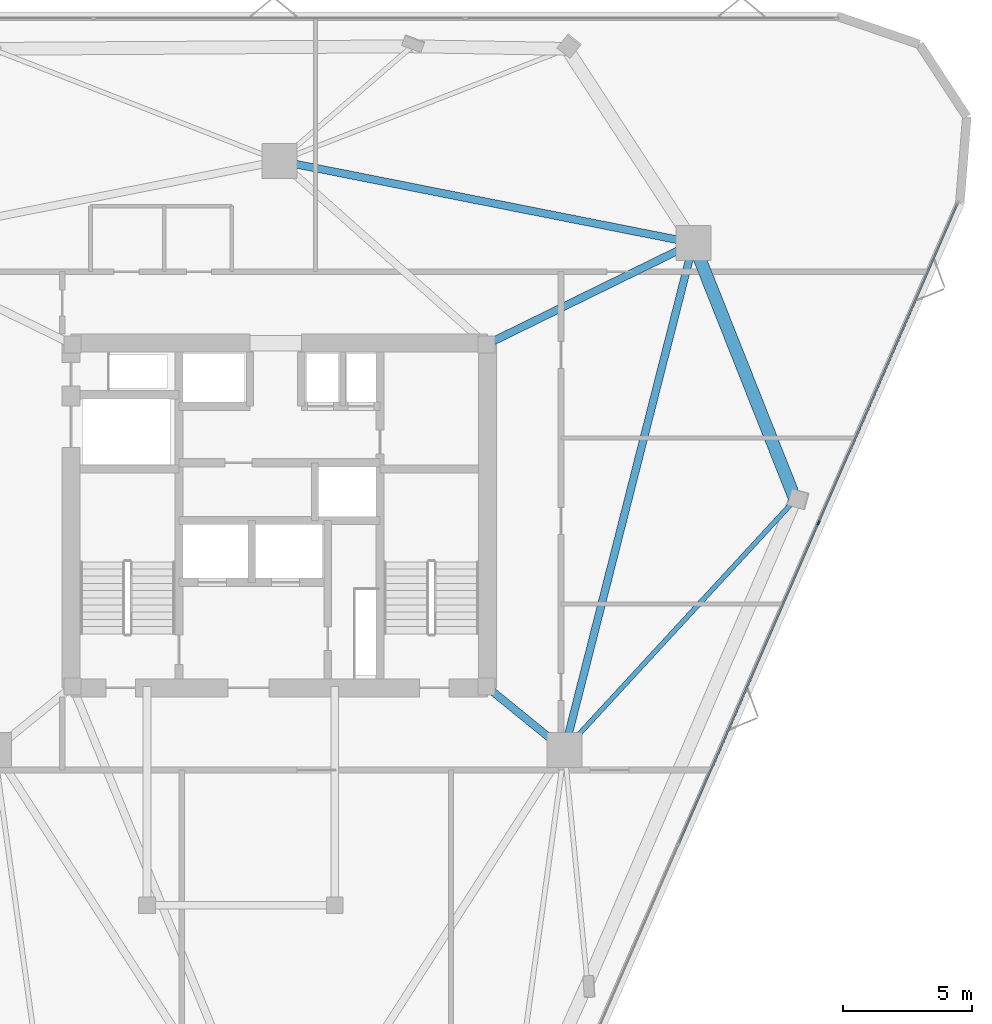
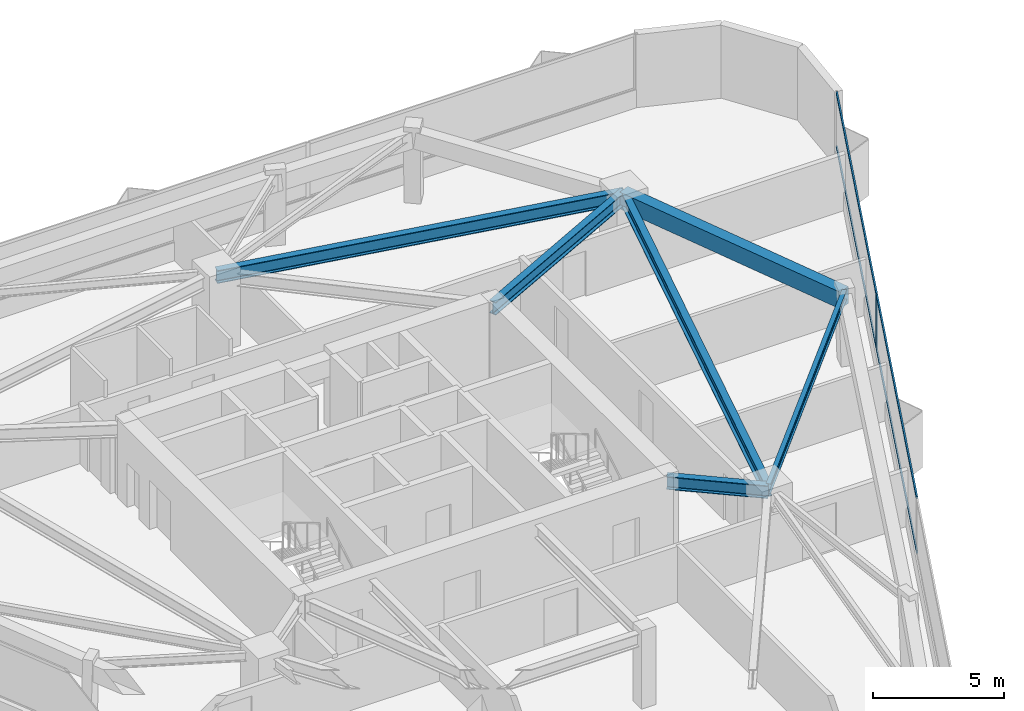
# One storey, part 7 of 12: 6 beams, 5 members, 1 element without a shape of its own.
"""IFC4 building model written with IfcOpenShell, lengths in metres."""

from ifc_helpers import new_model, si_unit, direction, frame, origin, origin_2d, place, context, subcontext, project, spatial, rectangle, i_section, extrude, material, layer, layer_set, material_profile, profile_set, type_object, element, aggregate, save


model = new_model("IFC4")

# Units and contexts
model_context = context("Model", 3, precision=1e-05, world=origin(), true_north=direction((0.0, 1.0)))
body_context = subcontext(model_context, "Body", "Model", "MODEL_VIEW")
ifc_project = project(units=[si_unit("LENGTHUNIT", "METRE"), si_unit("AREAUNIT", "SQUARE_METRE"), si_unit("VOLUMEUNIT", "CUBIC_METRE"), si_unit("PLANEANGLEUNIT", "RADIAN"), si_unit("MASSUNIT", "GRAM", prefix="KILO")], contexts=[model_context])

# Site, building, storey
site_placement = place(None, origin())
site = spatial("IfcSite", under=ifc_project, at=site_placement, CompositionType="ELEMENT")
building_placement = place(site_placement, origin())
building = spatial("IfcBuilding", under=site, at=building_placement, Name="Talyreon Biosciences Tower", CompositionType="ELEMENT")
storey_placement = place(building_placement, frame((0.0, 0.0, 183.050048828125)))
storey = spatial("IfcBuildingStorey", under=building, at=storey_placement, Name="L48", CompositionType="ELEMENT", Elevation=183.050048828125)

# Curtain wall, members
ifc_material_1 = material(Name="Thermally broken aluminium and low-E glazing", Category="aluminium")
ifc_layer = layer(ifc_material_1, 0.179931640625)
ifc_layer_set = layer_set([ifc_layer], Name="Thermally broken aluminium and low-E glazing")
curtain_wall_type = type_object("IfcCurtainWallType", Name="CurtainWall_Zone4Optical", PredefinedType="NOTDEFINED", material=ifc_layer_set)
curtain_wall_placement = place(storey_placement, origin())
curtain_wall = element("IfcCurtainWall", 1, at=curtain_wall_placement, inside=storey, type_object=curtain_wall_type, Name="L48 Unitised Curtain Wall FCW-L48-08", PredefinedType="NOTDEFINED")
ifc_material_2 = material(Name="Anodised thermally broken aluminium", Category="aluminium")
ifc_material_profile_1 = material_profile(ifc_material_2, rectangle(XDim=0.06494140625, YDim=0.179931640625, at=origin_2d()), Name="ALUM MULLION 65x180")
ifc_profile_set_1 = profile_set([ifc_material_profile_1], Name="Anodised thermally broken aluminium")
member_type_1 = type_object("IfcMemberType", Name="CWMullion_65x180", PredefinedType="MULLION", material=ifc_profile_set_1)
member_1_placement = place(storey_placement, frame((86.966552734375, 67.713623046875, 0.81005859375), z_axis=(0.0, 0.0, 1.0), x_axis=(0.916912184291, -0.399089020519, 0.0)))
member_1 = element("IfcMember", 2, at=member_1_placement, type_object=member_type_1, Name="CW5 mullion 2", PredefinedType="MULLION", context=body_context, shape_type="SweptSolid", body=[
    extrude(rectangle(XDim=0.06494140625, YDim=0.179931640625, at=origin_2d()), origin(), (0.0, 0.0, 1.0), 2.58984375),
])
ifc_material_profile_2 = material_profile(ifc_material_2, rectangle(XDim=0.06494140625, YDim=0.139892578125, at=origin_2d()), Name="ALUM TRANSOM 65x140")
ifc_profile_set_2 = profile_set([ifc_material_profile_2], Name="Anodised thermally broken aluminium")
member_type_2 = type_object("IfcMemberType", Name="CWTransom_65x140", PredefinedType="USERDEFINED", material=ifc_profile_set_2)
member_2_placement = place(storey_placement, frame((92.36474609375, 80.115966796875, 0.842529296875), z_axis=(-0.399077385587, -0.916917248345, 0.0), x_axis=(0.916917248345, -0.399077385587, 0.0)))
member_2 = element("IfcMember", 3, at=member_2_placement, type_object=member_type_2, Name="CW5 transom 1.1", ObjectType="TRANSOM", PredefinedType="USERDEFINED", context=body_context, shape_type="SweptSolid", body=[
    extrude(rectangle(XDim=0.06494140625, YDim=0.139892578125, at=origin_2d()), origin(), (0.0, 0.0, 1.0), 13.49365234375),
])
member_3_placement = place(storey_placement, frame((92.36474609375, 80.115966796875, 3.367431640625), z_axis=(-0.399077385587, -0.916917248345, 0.0), x_axis=(0.916917248345, -0.399077385587, 0.0)))
member_3 = element("IfcMember", 4, at=member_3_placement, type_object=member_type_2, Name="CW5 transom 1.2", ObjectType="TRANSOM", PredefinedType="USERDEFINED", context=body_context, shape_type="SweptSolid", body=[
    extrude(rectangle(XDim=0.06494140625, YDim=0.139892578125, at=origin_2d()), origin(), (0.0, 0.0, 1.0), 13.49365234375),
])
member_4_placement = place(storey_placement, frame((86.95361328125, 67.683837890625, 0.842529296875), z_axis=(-0.399082487198, -0.916915027913, 0.0), x_axis=(0.916915027913, -0.399082487198, 0.0)))
member_4 = element("IfcMember", 5, at=member_4_placement, type_object=member_type_2, Name="CW5 transom 2.1", ObjectType="TRANSOM", PredefinedType="USERDEFINED", context=body_context, shape_type="SweptSolid", body=[
    extrude(rectangle(XDim=0.06494140625, YDim=0.139892578125, at=origin_2d()), origin(), (0.0, 0.0, 1.0), 13.52587890625),
])
member_5_placement = place(storey_placement, frame((86.95361328125, 67.683837890625, 3.367431640625), z_axis=(-0.399082487198, -0.916915027913, 0.0), x_axis=(0.916915027913, -0.399082487198, 0.0)))
member_5 = element("IfcMember", 6, at=member_5_placement, type_object=member_type_2, Name="CW5 transom 2.2", ObjectType="TRANSOM", PredefinedType="USERDEFINED", context=body_context, shape_type="SweptSolid", body=[
    extrude(rectangle(XDim=0.06494140625, YDim=0.139892578125, at=origin_2d()), origin(), (0.0, 0.0, 1.0), 13.52587890625),
])
aggregate(curtain_wall, [member_1, member_2, member_3, member_4, member_5])

# Beams
ifc_material_3 = material(Name="Precast concrete C45/55", Category="concrete")
ifc_material_profile_3 = material_profile(ifc_material_3, rectangle(XDim=0.5, YDim=0.780029296875, at=origin_2d()), Name="RCB 500x780")
ifc_profile_set_3 = profile_set([ifc_material_profile_3], Name="Precast concrete C45/55")
beam_type_1 = type_object("IfcBeamType", Name="ExpressedSpandrel_500x780", PredefinedType="SPANDREL", material=ifc_profile_set_3)
beam_1_placement = place(storey_placement, frame((86.0595703125, 68.618408203125, 3.010009765625), z_axis=(-0.368593534679, 0.929590665935, 0.0), x_axis=(-0.929590665935, -0.368593534679, 0.0)))
element("IfcBeam", 7, at=beam_1_placement, inside=storey, type_object=beam_type_1, Name="L48 Expressed Horizontal Concrete Spandrel 04", PredefinedType="SPANDREL", context=body_context, shape_type="SweptSolid", body=[
    extrude(rectangle(XDim=0.5, YDim=0.780029296875, at=origin_2d()), origin(), (0.0, 0.0, 1.0), 10.736083984375),
])
ifc_material_4 = material(Name="Steel SM355", Category="steel")
ifc_material_profile_4 = material_profile(ifc_material_4, i_section(OverallWidth=0.300048828125, OverallDepth=0.60009765625, WebThickness=0.015380859375, FlangeThickness=0.030029296875, FilletRadius=0.027099609375, at=origin_2d()), Name="HE600B")
ifc_profile_set_4 = profile_set([ifc_material_profile_4], Name="Steel SM355")
beam_type_2 = type_object("IfcBeamType", Name="SteelBeam_HE600B", PredefinedType="BEAM", material=ifc_profile_set_4)
beam_2_placement = place(storey_placement, frame((77.086181640625, 58.88037109375, 3.099853515625), z_axis=(0.246537082299, 0.969133358755, 0.0), x_axis=(-0.969133358755, 0.246537082299, 0.0)))
element("IfcBeam", 8, at=beam_2_placement, inside=storey, type_object=beam_type_2, Name="L48 Mega-Ring Girder 2", PredefinedType="BEAM", context=body_context, shape_type="SweptSolid", body=[
    extrude(i_section(OverallWidth=0.300048828125, OverallDepth=0.60009765625, WebThickness=0.015380859375, FlangeThickness=0.030029296875, FilletRadius=0.027099609375, at=origin_2d()), origin(), (0.0, 0.0, 1.0), 20.34619140625),
])
beam_3_placement = place(storey_placement, frame((82.102294921875, 78.5986328125, 3.099853515625), z_axis=(-0.980933730698, 0.194342522311, 0.0), x_axis=(-0.194342522311, -0.980933730698, 0.0)))
element("IfcBeam", 9, at=beam_3_placement, inside=storey, type_object=beam_type_2, Name="L48 Mega-Ring Girder 3", PredefinedType="BEAM", context=body_context, shape_type="SweptSolid", body=[
    extrude(i_section(OverallWidth=0.300048828125, OverallDepth=0.60009765625, WebThickness=0.015380859375, FlangeThickness=0.030029296875, FilletRadius=0.027099609375, at=origin_2d()), origin(), (0.0, 0.0, 1.0), 16.415283203125),
])
beam_4_placement = place(storey_placement, frame((74.050048828125, 61.35009765625, 3.099853515625), z_axis=(0.775755154013, -0.631034025249, 0.0), x_axis=(0.631034025249, 0.775755154013, 0.0)))
element("IfcBeam", 10, at=beam_4_placement, inside=storey, type_object=beam_type_2, Name="L48 Radial Primary Girder 2", PredefinedType="BEAM", context=body_context, shape_type="SweptSolid", body=[
    extrude(i_section(OverallWidth=0.300048828125, OverallDepth=0.60009765625, WebThickness=0.015380859375, FlangeThickness=0.030029296875, FilletRadius=0.027099609375, at=origin_2d()), origin(), (0.0, 0.0, 1.0), 3.913818359375),
])
beam_5_placement = place(storey_placement, frame((74.050048828125, 74.64990234375, 3.099853515625), z_axis=(0.897852360314, 0.440296648952, 0.0), x_axis=(-0.440296648952, 0.897852360314, 0.0)))
element("IfcBeam", 11, at=beam_5_placement, inside=storey, type_object=beam_type_2, Name="L48 Radial Primary Girder 3", PredefinedType="BEAM", context=body_context, shape_type="SweptSolid", body=[
    extrude(i_section(OverallWidth=0.300048828125, OverallDepth=0.60009765625, WebThickness=0.015380859375, FlangeThickness=0.030029296875, FilletRadius=0.027099609375, at=origin_2d()), origin(), (0.0, 0.0, 1.0), 8.96826171875),
])
ifc_material_profile_5 = material_profile(ifc_material_4, i_section(OverallWidth=0.18994140625, OverallDepth=0.449951171875, WebThickness=0.009521484375, FlangeThickness=0.0146484375, FilletRadius=0.02099609375, at=origin_2d()), Name="IPE450")
ifc_profile_set_5 = profile_set([ifc_material_profile_5], Name="Steel SM355")
beam_type_3 = type_object("IfcBeamType", Name="SteelJoist_IPE450", PredefinedType="JOIST", material=ifc_profile_set_5)
beam_6_placement = place(storey_placement, frame((77.086181640625, 58.88037109375, 3.175048828125), z_axis=(0.677645046012, 0.735389142982, 0.0), x_axis=(-0.735389142982, 0.677645046012, 0.0)))
element("IfcBeam", 12, at=beam_6_placement, inside=storey, type_object=beam_type_3, Name="L48 Radial Composite Floor Joist PC-SE2", PredefinedType="JOIST", context=body_context, shape_type="SweptSolid", body=[
    extrude(i_section(OverallWidth=0.18994140625, OverallDepth=0.449951171875, WebThickness=0.009521484375, FlangeThickness=0.0146484375, FilletRadius=0.02099609375, at=origin_2d()), origin(), (0.0, 0.0, 1.0), 13.241943359375),
])

save(model, "model.ifc")
